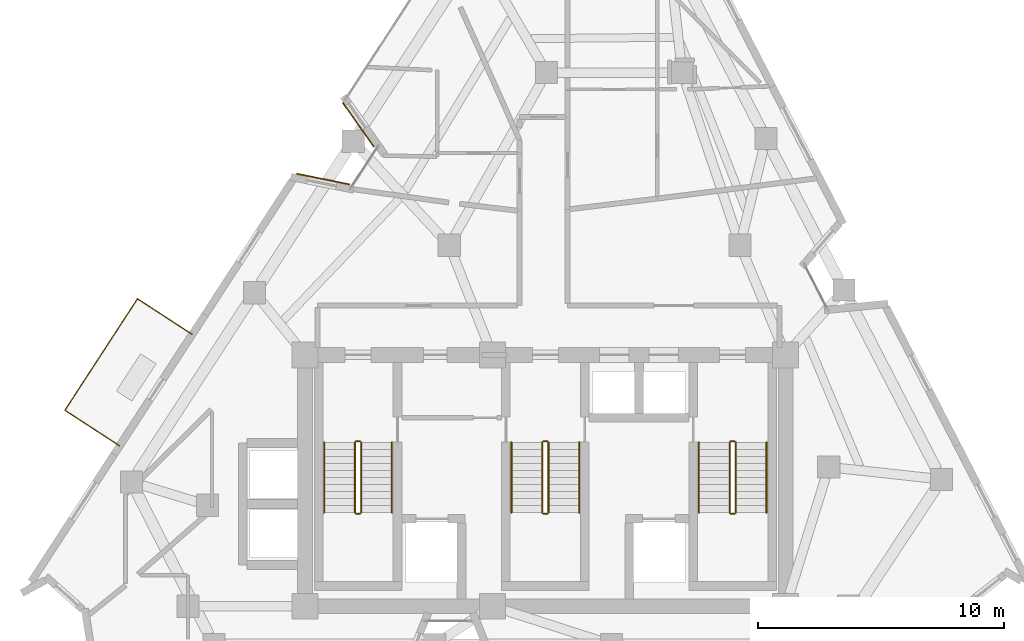
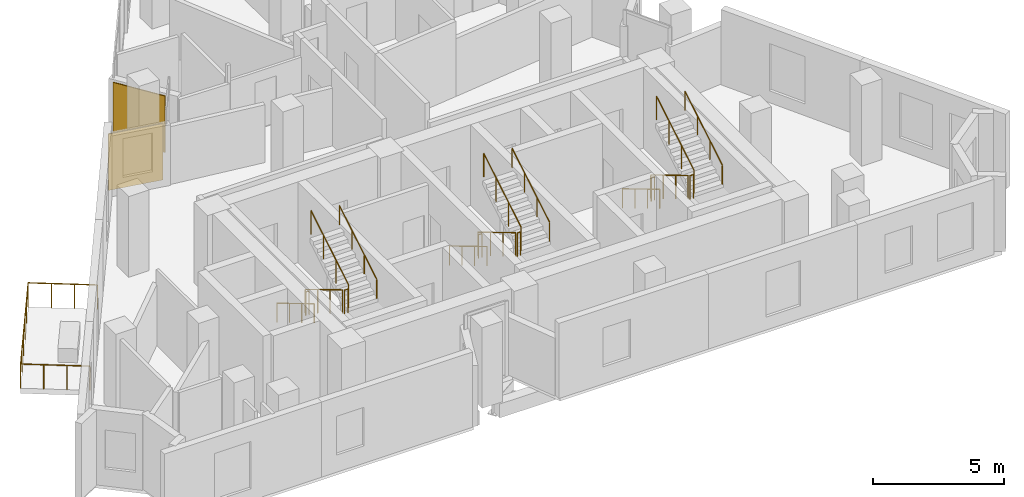
# One storey, part 10 of 11: 19 railings, 2 coverings.
"""IFC4 building model written with IfcOpenShell, lengths in metres."""

import ifcopenshell
import ifcopenshell.guid

model = None  # the IFC model being written
_history = None  # IfcOwnerHistory: only IFC2X3 demands one
_inside = {}  # id of a spatial element -> (the spatial element, [elements in it])
_under = {}  # id of a project, library or spatial element -> (it, [spatial elements below it])
_declared = {}  # id of a project -> (the project, [libraries it declares])
_typed = {}  # id of a type object -> (the type object, [elements of that type])
_made_of = {}  # id of a material, layer set ... -> (it, [elements and type objects made of it])


def new_model(schema):
    """Start an empty IFC model of exactly this schema.

    Asked for "IFC4X3", IfcOpenShell would pick the latest addendum, in which some entities
    have other attributes; the version numbers below select the first issue.
    IFC2X3 requires an IfcOwnerHistory on every rooted entity: one is made here for all.
    """
    global model, _history
    if schema == "IFC4X3":
        model = ifcopenshell.file(schema_version=(4, 3, 0, 0))
    else:
        model = ifcopenshell.file(schema=schema)
    _inside.clear()
    _under.clear()
    _declared.clear()
    _typed.clear()
    _made_of.clear()
    _history = None
    if model.schema == "IFC2X3":
        org = make("IfcOrganization", Name="unknown")
        user = make(
            "IfcPersonAndOrganization",
            ThePerson=make("IfcPerson", FamilyName="unknown"),
            TheOrganization=org,
        )
        app = make(
            "IfcApplication",
            ApplicationDeveloper=org,
            Version="unknown",
            ApplicationFullName="unknown",
            ApplicationIdentifier="unknown",
        )
        _history = make(
            "IfcOwnerHistory",
            OwningUser=user,
            OwningApplication=app,
            ChangeAction="ADDED",
            CreationDate=0,
        )
    return model


def make(cls, **values):
    """One entity of the class cls with the attributes given. An attribute that is None is left unset."""
    return model.create_entity(
        cls, **{name: value for name, value in values.items() if value is not None}
    )


def rooted(cls, **values):
    """An entity with a GlobalId (a new one), such as an element, a storey or a relation."""
    return make(cls, GlobalId=ifcopenshell.guid.new(), OwnerHistory=_history, **values)


def si_unit(unit_type, name, prefix=None):
    """IfcSIUnit, for example si_unit("LENGTHUNIT", "METRE", prefix="MILLI")."""
    return make("IfcSIUnit", UnitType=unit_type, Prefix=prefix, Name=name)


def assignment(units):
    """IfcUnitAssignment: the units of a project."""
    return None if units is None else make("IfcUnitAssignment", Units=units)


def point(xyz):
    """IfcCartesianPoint."""
    return None if xyz is None else make("IfcCartesianPoint", Coordinates=xyz)


def direction(xyz):
    """IfcDirection."""
    return None if xyz is None else make("IfcDirection", DirectionRatios=xyz)


def frame(location, z_axis=None, x_axis=None):
    """IfcAxis2Placement3D, a coordinate frame: its origin and axes. An axis left out is left unset."""
    return make(
        "IfcAxis2Placement3D",
        Location=point(location),
        Axis=direction(z_axis),
        RefDirection=direction(x_axis),
    )


def frame_2d(location, x_axis=None):
    """IfcAxis2Placement2D, a coordinate frame in the plane: its origin and x axis."""
    return make(
        "IfcAxis2Placement2D", Location=point(location), RefDirection=direction(x_axis)
    )


def origin():
    """The frame at (0, 0, 0) with its axes left unset."""
    return frame((0.0, 0.0, 0.0))


def origin_2d():
    """The frame at (0, 0) in the plane with its x axis left unset."""
    return frame_2d((0.0, 0.0))


def place(relative_to, where):
    """IfcLocalPlacement: puts the frame where relative to a parent placement (None: the world)."""
    return make(
        "IfcLocalPlacement", PlacementRelTo=relative_to, RelativePlacement=where
    )


def context(
    kind, dimensions, precision=None, world=None, true_north=None, identifier=None
):
    """IfcGeometricRepresentationContext, for example the 3D "Model" context."""
    return make(
        "IfcGeometricRepresentationContext",
        ContextIdentifier=identifier,
        ContextType=kind,
        CoordinateSpaceDimension=dimensions,
        Precision=precision,
        WorldCoordinateSystem=world,
        TrueNorth=true_north,
    )


def subcontext(parent, identifier, kind, view, scale=None):
    """IfcGeometricRepresentationSubContext, for example "Body" below "Model"."""
    return make(
        "IfcGeometricRepresentationSubContext",
        ContextIdentifier=identifier,
        ContextType=kind,
        ParentContext=parent,
        TargetScale=scale,
        TargetView=view,
    )


def project(units=None, contexts=None):
    """IfcProject with its units and contexts."""
    return rooted(
        "IfcProject",
        Name="project",
        RepresentationContexts=contexts,
        UnitsInContext=assignment(units),
    )


def spatial(cls, under=None, at=None, **own):
    """A site, building, storey or space (cls), placed at a placement, below another one or the project."""
    s = rooted(cls, ObjectPlacement=at, **own)
    if under is not None:
        _under.setdefault(under.id(), (under, []))[1].append(s)
    return s


def profile(cls, at=None, kind="AREA", **sizes):
    """A parametric profile (cls). Its sizes go by their IFC names, for example OverallWidth=200.0."""
    return make(cls, ProfileType=kind, Position=at, **sizes)


def rectangle(**sizes):
    """IfcRectangleProfileDef."""
    return profile("IfcRectangleProfileDef", **sizes)


def circle(**sizes):
    """IfcCircleProfileDef."""
    return profile("IfcCircleProfileDef", **sizes)


def extrude(swept, where, along, depth):
    """IfcExtrudedAreaSolid: the profile swept, set in the frame where, extruded along a direction by depth."""
    return make(
        "IfcExtrudedAreaSolid",
        SweptArea=swept,
        Position=where,
        ExtrudedDirection=direction(along),
        Depth=depth,
    )


def shape(context_of_items, identifier, shape_type, items):
    """IfcShapeRepresentation: the items that make up one representation, for example the "Body"."""
    return make(
        "IfcShapeRepresentation",
        ContextOfItems=context_of_items,
        RepresentationIdentifier=identifier,
        RepresentationType=shape_type,
        Items=items,
    )


def material(Name=None, Category=None):
    """IfcMaterial."""
    return make("IfcMaterial", Name=Name, Category=Category)


def layer(
    of_material, thickness, ventilated=None, Name=None, Category=None, Priority=None
):
    """IfcMaterialLayer: one layer of a wall or slab, of a material (None: an air gap)."""
    return make(
        "IfcMaterialLayer",
        Material=of_material,
        LayerThickness=thickness,
        IsVentilated=ventilated,
        Name=Name,
        Category=Category,
        Priority=Priority,
    )


def layer_set(layers, Name=None):
    """IfcMaterialLayerSet."""
    return make("IfcMaterialLayerSet", MaterialLayers=layers, LayerSetName=Name)


def made_of(thing, what):
    """Note that an element or type object is made of a material, layer set ...; save() writes the relation."""
    if what is not None:
        _made_of.setdefault(what.id(), (what, []))[1].append(thing)
    return thing


def type_object(cls, material=None, **own):
    """A type object (cls), such as IfcWallType, which elements share."""
    return made_of(rooted(cls, **own), material)


def element(
    cls,
    number,
    at=None,
    inside=None,
    cuts=None,
    type_object=None,
    material=None,
    context=None,
    identifier="Body",
    shape_type=None,
    held_by="IfcProductDefinitionShape",
    body=None,
    shapes=None,
    **own,
):
    """One element of the class cls, such as IfcWall. Its Tag is "e" and its number.

    at: its placement. inside: the storey or other place that contains it. cuts: it is an
    opening in that element (IfcRelVoidsElement). A single representation is given by context,
    identifier, shape_type and body (its items); several are given by shapes. held_by: the class
    of the entity that holds the representations. save() writes the other relations.
    """
    e = rooted(cls, Tag="e%d" % number, ObjectPlacement=at, **own)
    if body is not None:
        shapes = [shape(context, identifier, shape_type, body)]
    if shapes is not None:
        e.Representation = make(held_by, Representations=shapes)
    if inside is not None:
        _inside.setdefault(inside.id(), (inside, []))[1].append(e)
    if cuts is not None:
        rooted(
            "IfcRelVoidsElement", RelatingBuildingElement=cuts, RelatedOpeningElement=e
        )
    if type_object is not None:
        _typed.setdefault(type_object.id(), (type_object, []))[1].append(e)
    return made_of(e, material)


def aggregate(whole, parts):
    """IfcRelAggregates: a whole, such as a stair, and the parts it consists of."""
    return rooted("IfcRelAggregates", RelatingObject=whole, RelatedObjects=parts)


def save(model, path):
    """Write the relations noted so far, then the file.

    IfcRelAggregates (storeys below a building ...), IfcRelContainedInSpatialStructure (elements
    in a storey), IfcRelDefinesByType, IfcRelAssociatesMaterial and IfcRelDeclares: one each for
    every whole, place, type object, material and project.
    """
    for whole, parts in _under.values():
        aggregate(whole, parts)
    for where, things in _inside.values():
        rooted(
            "IfcRelContainedInSpatialStructure",
            RelatedElements=things,
            RelatingStructure=where,
        )
    for kind, things in _typed.values():
        rooted("IfcRelDefinesByType", RelatedObjects=things, RelatingType=kind)
    for what, things in _made_of.values():
        rooted("IfcRelAssociatesMaterial", RelatedObjects=things, RelatingMaterial=what)
    for by, libraries in _declared.values():
        rooted("IfcRelDeclares", RelatingContext=by, RelatedDefinitions=libraries)
    model.write(path)


model = new_model("IFC4")

# Units and contexts
model_context = context("Model", 3, precision=1e-05, world=origin(), true_north=direction((0.0, 1.0)))
body_context = subcontext(model_context, "Body", "Model", "MODEL_VIEW")
ifc_project = project(units=[si_unit("LENGTHUNIT", "METRE"), si_unit("AREAUNIT", "SQUARE_METRE"), si_unit("VOLUMEUNIT", "CUBIC_METRE"), si_unit("PLANEANGLEUNIT", "RADIAN"), si_unit("MASSUNIT", "GRAM", prefix="KILO")], contexts=[model_context])

# Site, building, storey
site_placement = place(None, origin())
site = spatial("IfcSite", under=ifc_project, at=site_placement, CompositionType="ELEMENT")
building_placement = place(site_placement, origin())
building = spatial("IfcBuilding", under=site, at=building_placement, Name="Almagre Mirador Tower", CompositionType="ELEMENT")
storey_placement = place(building_placement, frame((0.0, 0.0, 218.25)))
storey = spatial("IfcBuildingStorey", under=building, at=storey_placement, Name="L56", CompositionType="ELEMENT", Elevation=218.25)

# Coverings
ifc_material_1 = material(Name="Almagre terracotta architectural cladding", Category="masonry")
ifc_layer = layer(ifc_material_1, 0.044921875)
ifc_layer_set = layer_set([ifc_layer], Name="Almagre terracotta architectural cladding")
covering_type = type_object("IfcCoveringType", Name="COV-CLAD-ALMAGRE", PredefinedType="CLADDING", material=ifc_layer_set)
covering_1_placement = place(storey_placement, frame((28.281982421875, 21.884033203125, 0.10009765625), z_axis=(0.0, 0.0, 1.0), x_axis=(0.980381414413, -0.197109822874, 0.0)))
element("IfcCovering", 1, at=covering_1_placement, inside=storey, type_object=covering_type, Name="L56 almagre terracotta pier cladding", PredefinedType="CLADDING", context=body_context, shape_type="SweptSolid", body=[
    extrude(rectangle(XDim=2.193115234375, YDim=0.044921875, at=origin_2d()), origin(), (0.0, 0.0, 1.0), 2.625),
])
covering_2_placement = place(storey_placement, frame((29.714111328125, 24.08349609375, 0.10009765625), z_axis=(0.0, 0.0, 1.0), x_axis=(-0.577230705376, 0.816581112181, 0.0)))
element("IfcCovering", 2, at=covering_2_placement, inside=storey, type_object=covering_type, Name="L56 almagre terracotta pier cladding", PredefinedType="CLADDING", context=body_context, shape_type="SweptSolid", body=[
    extrude(rectangle(XDim=2.194091796875, YDim=0.044921875, at=origin_2d()), origin(), (0.0, 0.0, 1.0), 2.625),
])

# Railings
ifc_material_2 = material(Name="Black anodized aluminium", Category="aluminium")
railing_type_1 = type_object("IfcRailingType", Name="RLG-BAL-1150", PredefinedType="BALUSTRADE", material=ifc_material_2)
railing_1_placement = place(storey_placement, frame((22.972900390625, 15.5830078125, 0.0)))
element("IfcRailing", 3, at=railing_1_placement, inside=storey, type_object=railing_type_1, Name="L56 west balcony balustrade 1", PredefinedType="BALUSTRADE", context=body_context, shape_type="SweptSolid", body=[
    extrude(circle(Radius=0.02392578125, at=origin_2d()), frame((0.0, 0.0, 1.1259765625), z_axis=(-0.838024533954, 0.545632550798, 0.0), x_axis=(-0.545632550798, -0.838024533954, 0.0)), (0.0, 0.0, 1.0), 2.650146484375),
    extrude(circle(Radius=0.02392578125, at=origin_2d()), frame((-2.220947265625, 1.446044921875, 1.1259765625), z_axis=(-0.545517382858, -0.838099507815, 0.0), x_axis=(0.838099507815, -0.545517382858, 0.0)), (0.0, 0.0, 1.0), 5.400390625),
    extrude(circle(Radius=0.02392578125, at=origin_2d()), frame((-5.1669921875, -3.080078125, 1.1259765625), z_axis=(0.838051956565, -0.545590430725, 0.0), x_axis=(0.545590430725, 0.838051956565, 0.0)), (0.0, 0.0, 1.0), 2.650390625),
    extrude(circle(Radius=0.02099609375, at=origin_2d()), origin(), (0.0, 0.0, 1.0), 1.101806640625),
    extrude(circle(Radius=0.02099609375, at=origin_2d()), frame((-0.740234375, 0.48193359375, 0.0)), (0.0, 0.0, 1.0), 1.101806640625),
    extrude(circle(Radius=0.02099609375, at=origin_2d()), frame((-1.480712890625, 0.964111328125, 0.0)), (0.0, 0.0, 1.0), 1.101806640625),
    extrude(circle(Radius=0.02099609375, at=origin_2d()), frame((-2.220947265625, 1.446044921875, 0.0)), (0.0, 0.0, 1.0), 1.101806640625),
    extrude(circle(Radius=0.02099609375, at=origin_2d()), frame((-2.81005859375, 0.540771484375, 0.0)), (0.0, 0.0, 1.0), 1.101806640625),
    extrude(circle(Radius=0.02099609375, at=origin_2d()), frame((-3.3994140625, -0.364501953125, 0.0)), (0.0, 0.0, 1.0), 1.101806640625),
    extrude(circle(Radius=0.02099609375, at=origin_2d()), frame((-3.988525390625, -1.26953125, 0.0)), (0.0, 0.0, 1.0), 1.101806640625),
    extrude(circle(Radius=0.02099609375, at=origin_2d()), frame((-4.577880859375, -2.1748046875, 0.0)), (0.0, 0.0, 1.0), 1.101806640625),
    extrude(circle(Radius=0.02099609375, at=origin_2d()), frame((-5.1669921875, -3.080078125, 0.0)), (0.0, 0.0, 1.0), 1.101806640625),
    extrude(circle(Radius=0.02099609375, at=origin_2d()), frame((-4.426513671875, -3.56201171875, 0.0)), (0.0, 0.0, 1.0), 1.101806640625),
    extrude(circle(Radius=0.02099609375, at=origin_2d()), frame((-3.686279296875, -4.044189453125, 0.0)), (0.0, 0.0, 1.0), 1.101806640625),
    extrude(circle(Radius=0.02099609375, at=origin_2d()), frame((-2.94580078125, -4.526123046875, 0.0)), (0.0, 0.0, 1.0), 1.101806640625),
])
ifc_material_3 = material(Name="Painted galvanized steel", Category="steel")
railing_type_2 = type_object("IfcRailingType", Name="RLG-GRD-1100", PredefinedType="GUARDRAIL", material=ifc_material_3)
railing_2_placement = place(storey_placement, frame((29.574951171875, 11.199951171875, 0.17041015625)))
element("IfcRailing", 4, at=railing_2_placement, inside=storey, type_object=railing_type_2, Name="L56 ST-1 stair guard 1", PredefinedType="GUARDRAIL", context=body_context, shape_type="SweptSolid", body=[
    extrude(circle(Radius=0.02392578125, at=origin_2d()), frame((0.0, 0.0, 1.09619140625), z_axis=(0.0, -0.858199205511, 0.513316786848), x_axis=(1.0, 0.0, 0.0)), (0.0, 0.0, 1.0), 3.32080078125),
    extrude(circle(Radius=0.02099609375, at=origin_2d()), origin(), (0.0, 0.0, 1.0), 1.072021484375),
    extrude(circle(Radius=0.02099609375, at=origin_2d()), frame((0.0, -0.949951171875, 0.568115234375)), (0.0, 0.0, 1.0), 1.072021484375),
    extrude(circle(Radius=0.02099609375, at=origin_2d()), frame((0.0, -1.89990234375, 1.136474609375)), (0.0, 0.0, 1.0), 1.072021484375),
    extrude(circle(Radius=0.02099609375, at=origin_2d()), frame((0.0, -2.849853515625, 1.70458984375)), (0.0, 0.0, 1.0), 1.072021484375),
])
railing_3_placement = place(storey_placement, frame((29.625, 8.300048828125, 1.875)))
element("IfcRailing", 5, at=railing_3_placement, inside=storey, type_object=railing_type_2, Name="L56 ST-1 stair guard 2", PredefinedType="GUARDRAIL", context=body_context, shape_type="SweptSolid", body=[
    extrude(circle(Radius=0.02392578125, at=origin_2d()), frame((0.0, 0.0, 1.09619140625), z_axis=(1.0, 0.0, 0.0), x_axis=(0.0, 1.0, 0.0)), (0.0, 0.0, 1.0), 0.14990234375),
    extrude(circle(Radius=0.02099609375, at=origin_2d()), origin(), (0.0, 0.0, 1.0), 1.072021484375),
    extrude(circle(Radius=0.02099609375, at=origin_2d()), frame((0.14990234375, 0.0, 0.0)), (0.0, 0.0, 1.0), 1.072021484375),
])
railing_4_placement = place(storey_placement, frame((29.824951171875, 8.35009765625, 2.04541015625)))
element("IfcRailing", 6, at=railing_4_placement, inside=storey, type_object=railing_type_2, Name="L56 ST-1 stair guard 3", PredefinedType="GUARDRAIL", context=body_context, shape_type="SweptSolid", body=[
    extrude(circle(Radius=0.02392578125, at=origin_2d()), frame((0.0, 0.0, 1.09619140625), z_axis=(0.0, 0.858199205511, 0.513316786848), x_axis=(-1.0, 0.0, 0.0)), (0.0, 0.0, 1.0), 3.32080078125),
    extrude(circle(Radius=0.02099609375, at=origin_2d()), origin(), (0.0, 0.0, 1.0), 1.072021484375),
    extrude(circle(Radius=0.02099609375, at=origin_2d()), frame((0.0, 0.949951171875, 0.568115234375)), (0.0, 0.0, 1.0), 1.072021484375),
    extrude(circle(Radius=0.02099609375, at=origin_2d()), frame((0.0, 1.89990234375, 1.136474609375)), (0.0, 0.0, 1.0), 1.072021484375),
    extrude(circle(Radius=0.02099609375, at=origin_2d()), frame((0.0, 2.849853515625, 1.70458984375)), (0.0, 0.0, 1.0), 1.072021484375),
])
railing_5_placement = place(storey_placement, frame((29.625, 11.25, 0.0)))
element("IfcRailing", 7, at=railing_5_placement, inside=storey, type_object=railing_type_2, Name="L56 ST-1 stair guard 4", PredefinedType="GUARDRAIL", context=body_context, shape_type="SweptSolid", body=[
    extrude(circle(Radius=0.02392578125, at=origin_2d()), frame((0.0, 0.0, 1.09619140625), z_axis=(1.0, 0.0, 0.0), x_axis=(0.0, 1.0, 0.0)), (0.0, 0.0, 1.0), 0.14990234375),
    extrude(circle(Radius=0.02099609375, at=origin_2d()), origin(), (0.0, 0.0, 1.0), 1.072021484375),
    extrude(circle(Radius=0.02099609375, at=origin_2d()), frame((0.14990234375, 0.0, 0.0)), (0.0, 0.0, 1.0), 1.072021484375),
])
railing_6_placement = place(storey_placement, frame((37.175048828125, 11.199951171875, 0.17041015625)))
element("IfcRailing", 8, at=railing_6_placement, inside=storey, type_object=railing_type_2, Name="L56 ST-2 stair guard 1", PredefinedType="GUARDRAIL", context=body_context, shape_type="SweptSolid", body=[
    extrude(circle(Radius=0.02392578125, at=origin_2d()), frame((0.0, 0.0, 1.09619140625), z_axis=(0.0, -0.858199205511, 0.513316786848), x_axis=(1.0, 0.0, 0.0)), (0.0, 0.0, 1.0), 3.32080078125),
    extrude(circle(Radius=0.02099609375, at=origin_2d()), origin(), (0.0, 0.0, 1.0), 1.072021484375),
    extrude(circle(Radius=0.02099609375, at=origin_2d()), frame((0.0, -0.949951171875, 0.568115234375)), (0.0, 0.0, 1.0), 1.072021484375),
    extrude(circle(Radius=0.02099609375, at=origin_2d()), frame((0.0, -1.89990234375, 1.136474609375)), (0.0, 0.0, 1.0), 1.072021484375),
    extrude(circle(Radius=0.02099609375, at=origin_2d()), frame((0.0, -2.849853515625, 1.70458984375)), (0.0, 0.0, 1.0), 1.072021484375),
])
railing_7_placement = place(storey_placement, frame((37.22509765625, 8.300048828125, 1.875)))
element("IfcRailing", 9, at=railing_7_placement, inside=storey, type_object=railing_type_2, Name="L56 ST-2 stair guard 2", PredefinedType="GUARDRAIL", context=body_context, shape_type="SweptSolid", body=[
    extrude(circle(Radius=0.02392578125, at=origin_2d()), frame((0.0, 0.0, 1.09619140625), z_axis=(1.0, 0.0, 0.0), x_axis=(0.0, 1.0, 0.0)), (0.0, 0.0, 1.0), 0.14990234375),
    extrude(circle(Radius=0.02099609375, at=origin_2d()), origin(), (0.0, 0.0, 1.0), 1.072021484375),
    extrude(circle(Radius=0.02099609375, at=origin_2d()), frame((0.14990234375, 0.0, 0.0)), (0.0, 0.0, 1.0), 1.072021484375),
])
railing_8_placement = place(storey_placement, frame((37.425048828125, 8.35009765625, 2.04541015625)))
element("IfcRailing", 10, at=railing_8_placement, inside=storey, type_object=railing_type_2, Name="L56 ST-2 stair guard 3", PredefinedType="GUARDRAIL", context=body_context, shape_type="SweptSolid", body=[
    extrude(circle(Radius=0.02392578125, at=origin_2d()), frame((0.0, 0.0, 1.09619140625), z_axis=(0.0, 0.858199205511, 0.513316786848), x_axis=(-1.0, 0.0, 0.0)), (0.0, 0.0, 1.0), 3.32080078125),
    extrude(circle(Radius=0.02099609375, at=origin_2d()), origin(), (0.0, 0.0, 1.0), 1.072021484375),
    extrude(circle(Radius=0.02099609375, at=origin_2d()), frame((0.0, 0.949951171875, 0.568115234375)), (0.0, 0.0, 1.0), 1.072021484375),
    extrude(circle(Radius=0.02099609375, at=origin_2d()), frame((0.0, 1.89990234375, 1.136474609375)), (0.0, 0.0, 1.0), 1.072021484375),
    extrude(circle(Radius=0.02099609375, at=origin_2d()), frame((0.0, 2.849853515625, 1.70458984375)), (0.0, 0.0, 1.0), 1.072021484375),
])
railing_9_placement = place(storey_placement, frame((37.22509765625, 11.25, 0.0)))
element("IfcRailing", 11, at=railing_9_placement, inside=storey, type_object=railing_type_2, Name="L56 ST-2 stair guard 4", PredefinedType="GUARDRAIL", context=body_context, shape_type="SweptSolid", body=[
    extrude(circle(Radius=0.02392578125, at=origin_2d()), frame((0.0, 0.0, 1.09619140625), z_axis=(1.0, 0.0, 0.0), x_axis=(0.0, 1.0, 0.0)), (0.0, 0.0, 1.0), 0.14990234375),
    extrude(circle(Radius=0.02099609375, at=origin_2d()), origin(), (0.0, 0.0, 1.0), 1.072021484375),
    extrude(circle(Radius=0.02099609375, at=origin_2d()), frame((0.14990234375, 0.0, 0.0)), (0.0, 0.0, 1.0), 1.072021484375),
])
railing_10_placement = place(storey_placement, frame((44.77490234375, 11.199951171875, 0.17041015625)))
element("IfcRailing", 12, at=railing_10_placement, inside=storey, type_object=railing_type_2, Name="L56 ST-3 stair guard 1", PredefinedType="GUARDRAIL", context=body_context, shape_type="SweptSolid", body=[
    extrude(circle(Radius=0.02392578125, at=origin_2d()), frame((0.0, 0.0, 1.09619140625), z_axis=(0.0, -0.858199205511, 0.513316786848), x_axis=(1.0, 0.0, 0.0)), (0.0, 0.0, 1.0), 3.32080078125),
    extrude(circle(Radius=0.02099609375, at=origin_2d()), origin(), (0.0, 0.0, 1.0), 1.072021484375),
    extrude(circle(Radius=0.02099609375, at=origin_2d()), frame((0.0, -0.949951171875, 0.568115234375)), (0.0, 0.0, 1.0), 1.072021484375),
    extrude(circle(Radius=0.02099609375, at=origin_2d()), frame((0.0, -1.89990234375, 1.136474609375)), (0.0, 0.0, 1.0), 1.072021484375),
    extrude(circle(Radius=0.02099609375, at=origin_2d()), frame((0.0, -2.849853515625, 1.70458984375)), (0.0, 0.0, 1.0), 1.072021484375),
])
railing_11_placement = place(storey_placement, frame((44.824951171875, 8.300048828125, 1.875)))
element("IfcRailing", 13, at=railing_11_placement, inside=storey, type_object=railing_type_2, Name="L56 ST-3 stair guard 2", PredefinedType="GUARDRAIL", context=body_context, shape_type="SweptSolid", body=[
    extrude(circle(Radius=0.02392578125, at=origin_2d()), frame((0.0, 0.0, 1.09619140625), z_axis=(1.0, 0.0, 0.0), x_axis=(0.0, 1.0, 0.0)), (0.0, 0.0, 1.0), 0.150146484375),
    extrude(circle(Radius=0.02099609375, at=origin_2d()), origin(), (0.0, 0.0, 1.0), 1.072021484375),
    extrude(circle(Radius=0.02099609375, at=origin_2d()), frame((0.150146484375, 0.0, 0.0)), (0.0, 0.0, 1.0), 1.072021484375),
])
railing_12_placement = place(storey_placement, frame((45.02490234375, 8.35009765625, 2.04541015625)))
element("IfcRailing", 14, at=railing_12_placement, inside=storey, type_object=railing_type_2, Name="L56 ST-3 stair guard 3", PredefinedType="GUARDRAIL", context=body_context, shape_type="SweptSolid", body=[
    extrude(circle(Radius=0.02392578125, at=origin_2d()), frame((0.0, 0.0, 1.09619140625), z_axis=(0.0, 0.858199205511, 0.513316786848), x_axis=(-1.0, 0.0, 0.0)), (0.0, 0.0, 1.0), 3.32080078125),
    extrude(circle(Radius=0.02099609375, at=origin_2d()), origin(), (0.0, 0.0, 1.0), 1.072021484375),
    extrude(circle(Radius=0.02099609375, at=origin_2d()), frame((0.0, 0.949951171875, 0.568115234375)), (0.0, 0.0, 1.0), 1.072021484375),
    extrude(circle(Radius=0.02099609375, at=origin_2d()), frame((0.0, 1.89990234375, 1.136474609375)), (0.0, 0.0, 1.0), 1.072021484375),
    extrude(circle(Radius=0.02099609375, at=origin_2d()), frame((0.0, 2.849853515625, 1.70458984375)), (0.0, 0.0, 1.0), 1.072021484375),
])
railing_13_placement = place(storey_placement, frame((44.824951171875, 11.25, 0.0)))
element("IfcRailing", 15, at=railing_13_placement, inside=storey, type_object=railing_type_2, Name="L56 ST-3 stair guard 4", PredefinedType="GUARDRAIL", context=body_context, shape_type="SweptSolid", body=[
    extrude(circle(Radius=0.02392578125, at=origin_2d()), frame((0.0, 0.0, 1.09619140625), z_axis=(1.0, 0.0, 0.0), x_axis=(0.0, 1.0, 0.0)), (0.0, 0.0, 1.0), 0.150146484375),
    extrude(circle(Radius=0.02099609375, at=origin_2d()), origin(), (0.0, 0.0, 1.0), 1.072021484375),
    extrude(circle(Radius=0.02099609375, at=origin_2d()), frame((0.150146484375, 0.0, 0.0)), (0.0, 0.0, 1.0), 1.072021484375),
])
ifc_material_4 = material(Name="Brushed stainless steel", Category="steel")
railing_type_3 = type_object("IfcRailingType", Name="RLG-HND-915", PredefinedType="HANDRAIL", material=ifc_material_4)
railing_14_placement = place(storey_placement, frame((28.324951171875, 11.199951171875, 0.17041015625)))
element("IfcRailing", 16, at=railing_14_placement, inside=storey, type_object=railing_type_3, Name="L56 ST-1 stair handrail 1", PredefinedType="HANDRAIL", context=body_context, shape_type="SweptSolid", body=[
    extrude(circle(Radius=0.02392578125, at=origin_2d()), frame((0.0, 0.0, 0.89111328125), z_axis=(0.0, -0.858199205511, 0.513316786848), x_axis=(1.0, 0.0, 0.0)), (0.0, 0.0, 1.0), 3.32080078125),
    extrude(circle(Radius=0.02099609375, at=origin_2d()), origin(), (0.0, 0.0, 1.0), 0.866943359375),
    extrude(circle(Radius=0.02099609375, at=origin_2d()), frame((0.0, -0.949951171875, 0.568115234375)), (0.0, 0.0, 1.0), 0.866943359375),
    extrude(circle(Radius=0.02099609375, at=origin_2d()), frame((0.0, -1.89990234375, 1.136474609375)), (0.0, 0.0, 1.0), 0.866943359375),
    extrude(circle(Radius=0.02099609375, at=origin_2d()), frame((0.0, -2.849853515625, 1.70458984375)), (0.0, 0.0, 1.0), 0.866943359375),
])
railing_15_placement = place(storey_placement, frame((31.074951171875, 8.35009765625, 2.04541015625)))
element("IfcRailing", 17, at=railing_15_placement, inside=storey, type_object=railing_type_3, Name="L56 ST-1 stair handrail 2", PredefinedType="HANDRAIL", context=body_context, shape_type="SweptSolid", body=[
    extrude(circle(Radius=0.02392578125, at=origin_2d()), frame((0.0, 0.0, 0.89111328125), z_axis=(0.0, 0.858199205511, 0.513316786848), x_axis=(-1.0, 0.0, 0.0)), (0.0, 0.0, 1.0), 3.32080078125),
    extrude(circle(Radius=0.02099609375, at=origin_2d()), origin(), (0.0, 0.0, 1.0), 0.866943359375),
    extrude(circle(Radius=0.02099609375, at=origin_2d()), frame((0.0, 0.949951171875, 0.568115234375)), (0.0, 0.0, 1.0), 0.866943359375),
    extrude(circle(Radius=0.02099609375, at=origin_2d()), frame((0.0, 1.89990234375, 1.136474609375)), (0.0, 0.0, 1.0), 0.866943359375),
    extrude(circle(Radius=0.02099609375, at=origin_2d()), frame((0.0, 2.849853515625, 1.70458984375)), (0.0, 0.0, 1.0), 0.866943359375),
])
railing_16_placement = place(storey_placement, frame((35.925048828125, 11.199951171875, 0.17041015625)))
element("IfcRailing", 18, at=railing_16_placement, inside=storey, type_object=railing_type_3, Name="L56 ST-2 stair handrail 1", PredefinedType="HANDRAIL", context=body_context, shape_type="SweptSolid", body=[
    extrude(circle(Radius=0.02392578125, at=origin_2d()), frame((0.0, 0.0, 0.89111328125), z_axis=(0.0, -0.858199205511, 0.513316786848), x_axis=(1.0, 0.0, 0.0)), (0.0, 0.0, 1.0), 3.32080078125),
    extrude(circle(Radius=0.02099609375, at=origin_2d()), origin(), (0.0, 0.0, 1.0), 0.866943359375),
    extrude(circle(Radius=0.02099609375, at=origin_2d()), frame((0.0, -0.949951171875, 0.568115234375)), (0.0, 0.0, 1.0), 0.866943359375),
    extrude(circle(Radius=0.02099609375, at=origin_2d()), frame((0.0, -1.89990234375, 1.136474609375)), (0.0, 0.0, 1.0), 0.866943359375),
    extrude(circle(Radius=0.02099609375, at=origin_2d()), frame((0.0, -2.849853515625, 1.70458984375)), (0.0, 0.0, 1.0), 0.866943359375),
])
railing_17_placement = place(storey_placement, frame((38.675048828125, 8.35009765625, 2.04541015625)))
element("IfcRailing", 19, at=railing_17_placement, inside=storey, type_object=railing_type_3, Name="L56 ST-2 stair handrail 2", PredefinedType="HANDRAIL", context=body_context, shape_type="SweptSolid", body=[
    extrude(circle(Radius=0.02392578125, at=origin_2d()), frame((0.0, 0.0, 0.89111328125), z_axis=(0.0, 0.858199205511, 0.513316786848), x_axis=(-1.0, 0.0, 0.0)), (0.0, 0.0, 1.0), 3.32080078125),
    extrude(circle(Radius=0.02099609375, at=origin_2d()), origin(), (0.0, 0.0, 1.0), 0.866943359375),
    extrude(circle(Radius=0.02099609375, at=origin_2d()), frame((0.0, 0.949951171875, 0.568115234375)), (0.0, 0.0, 1.0), 0.866943359375),
    extrude(circle(Radius=0.02099609375, at=origin_2d()), frame((0.0, 1.89990234375, 1.136474609375)), (0.0, 0.0, 1.0), 0.866943359375),
    extrude(circle(Radius=0.02099609375, at=origin_2d()), frame((0.0, 2.849853515625, 1.70458984375)), (0.0, 0.0, 1.0), 0.866943359375),
])
railing_18_placement = place(storey_placement, frame((43.52490234375, 11.199951171875, 0.17041015625)))
element("IfcRailing", 20, at=railing_18_placement, inside=storey, type_object=railing_type_3, Name="L56 ST-3 stair handrail 1", PredefinedType="HANDRAIL", context=body_context, shape_type="SweptSolid", body=[
    extrude(circle(Radius=0.02392578125, at=origin_2d()), frame((0.0, 0.0, 0.89111328125), z_axis=(0.0, -0.858199205511, 0.513316786848), x_axis=(1.0, 0.0, 0.0)), (0.0, 0.0, 1.0), 3.32080078125),
    extrude(circle(Radius=0.02099609375, at=origin_2d()), origin(), (0.0, 0.0, 1.0), 0.866943359375),
    extrude(circle(Radius=0.02099609375, at=origin_2d()), frame((0.0, -0.949951171875, 0.568115234375)), (0.0, 0.0, 1.0), 0.866943359375),
    extrude(circle(Radius=0.02099609375, at=origin_2d()), frame((0.0, -1.89990234375, 1.136474609375)), (0.0, 0.0, 1.0), 0.866943359375),
    extrude(circle(Radius=0.02099609375, at=origin_2d()), frame((0.0, -2.849853515625, 1.70458984375)), (0.0, 0.0, 1.0), 0.866943359375),
])
railing_19_placement = place(storey_placement, frame((46.27490234375, 8.35009765625, 2.04541015625)))
element("IfcRailing", 21, at=railing_19_placement, inside=storey, type_object=railing_type_3, Name="L56 ST-3 stair handrail 2", PredefinedType="HANDRAIL", context=body_context, shape_type="SweptSolid", body=[
    extrude(circle(Radius=0.02392578125, at=origin_2d()), frame((0.0, 0.0, 0.89111328125), z_axis=(0.0, 0.858199205511, 0.513316786848), x_axis=(-1.0, 0.0, 0.0)), (0.0, 0.0, 1.0), 3.32080078125),
    extrude(circle(Radius=0.02099609375, at=origin_2d()), origin(), (0.0, 0.0, 1.0), 0.866943359375),
    extrude(circle(Radius=0.02099609375, at=origin_2d()), frame((0.0, 0.949951171875, 0.568115234375)), (0.0, 0.0, 1.0), 0.866943359375),
    extrude(circle(Radius=0.02099609375, at=origin_2d()), frame((0.0, 1.89990234375, 1.136474609375)), (0.0, 0.0, 1.0), 0.866943359375),
    extrude(circle(Radius=0.02099609375, at=origin_2d()), frame((0.0, 2.849853515625, 1.70458984375)), (0.0, 0.0, 1.0), 0.866943359375),
])

save(model, "model.ifc")
